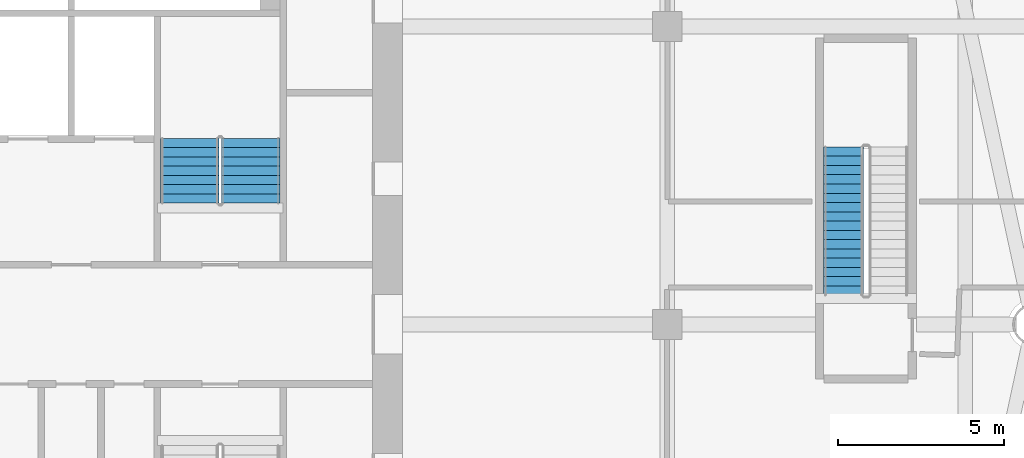
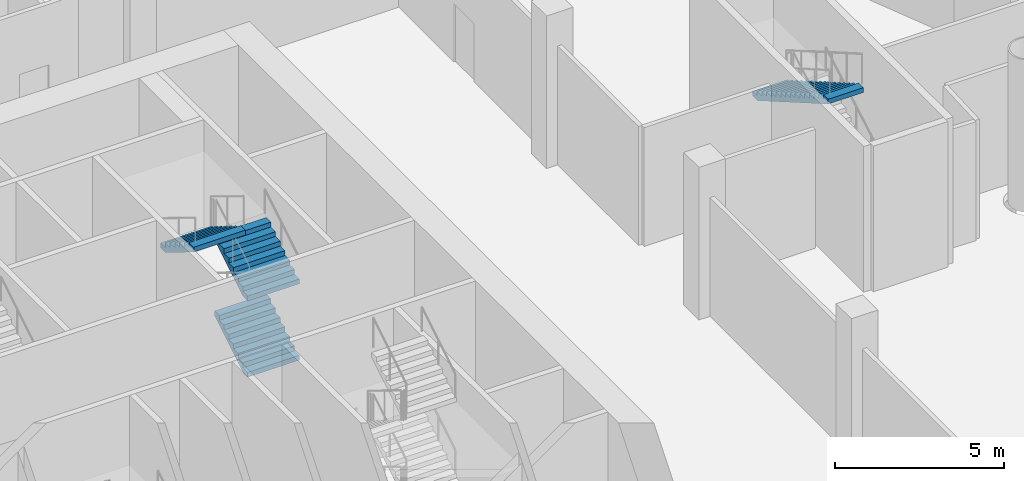
# One storey, part 16 of 23: 4 stair flights, 2 elements without a shape of their own.
"""IFC4 building model written with IfcOpenShell, lengths in metres."""

from ifc_helpers import new_model, si_unit, direction, frame, origin, place, context, subcontext, project, spatial, faceted_brep, material, type_object, element, aggregate, save


model = new_model("IFC4")

# Units and contexts
model_context = context("Model", 3, precision=1e-05, world=origin(), true_north=direction((0.0, 1.0)))
body_context = subcontext(model_context, "Body", "Model", "MODEL_VIEW")
ifc_project = project(units=[si_unit("LENGTHUNIT", "METRE"), si_unit("AREAUNIT", "SQUARE_METRE"), si_unit("VOLUMEUNIT", "CUBIC_METRE"), si_unit("PLANEANGLEUNIT", "RADIAN"), si_unit("MASSUNIT", "GRAM", prefix="KILO")], contexts=[model_context])

# Site, building, storey
site_placement = place(None, origin())
site = spatial("IfcSite", under=ifc_project, at=site_placement, CompositionType="ELEMENT")
building_placement = place(site_placement, origin())
building = spatial("IfcBuilding", under=site, at=building_placement, Name="Tarsis Ring Headquarters", CompositionType="ELEMENT")
storey_placement = place(building_placement, frame((0.0, 0.0, 14.0)))
storey = spatial("IfcBuildingStorey", under=building, at=storey_placement, Name="L02", CompositionType="ELEMENT", Elevation=14.0)

# Stair, stair flights
ifc_material_1 = material(Name="Core stair 1760")
stair_type_1 = type_object("IfcStairType", Name="Core stair 1760", PredefinedType="HALF_TURN_STAIR", material=ifc_material_1)
stair_1_placement = place(storey_placement, origin())
stair_1 = element("IfcStair", 1, at=stair_1_placement, inside=storey, type_object=stair_type_1, Name="L02 Exit stair B", PredefinedType="HALF_TURN_STAIR")
ifc_material_2 = material(Name="Concrete C40/50", Category="concrete")
stair_flight_type_1 = type_object("IfcStairFlightType", Name="Core stair flight 1760", PredefinedType="STRAIGHT", material=ifc_material_2)
stair_flight_1_placement = place(storey_placement, frame((5.419921875, 3.659912109375, 0.0), z_axis=(0.0, 0.0, 1.0), x_axis=(0.0, 1.0, 0.0)))
stair_flight_1 = element("IfcStairFlight", 2, at=stair_flight_1_placement, type_object=stair_flight_type_1, Name="Stair ST2 flight 1", NumberOfRisers=8, NumberOfTreads=7, PredefinedType="STRAIGHT", RiserHeight=0.171875, TreadLength=0.28, context=body_context, shape_type="Brep", body=[
    faceted_brep([(0.0, 0.8798828125, 0.0), (0.0, 0.8798828125, 0.171875), (0.280029296875, 0.8798828125, 0.171875), (0.280029296875, 0.8798828125, 0.34375), (0.56005859375, 0.8798828125, 0.34375), (0.56005859375, 0.8798828125, 0.515625), (0.840087890625, 0.8798828125, 0.515625), (0.840087890625, 0.8798828125, 0.6875), (1.1201171875, 0.8798828125, 0.6875), (1.1201171875, 0.8798828125, 0.859375), (1.39990234375, 0.8798828125, 0.859375), (1.39990234375, 0.8798828125, 1.03125), (1.679931640625, 0.8798828125, 1.03125), (1.679931640625, 0.8798828125, 1.203125), (1.9599609375, 0.8798828125, 1.203125), (1.9599609375, 0.8798828125, 1.02734375), (0.28662109375, 0.8798828125, 0.0), (0.28662109375, -0.8798828125, 0.0), (1.9599609375, -0.8798828125, 1.02734375), (1.9599609375, -0.8798828125, 1.203125), (1.679931640625, -0.8798828125, 1.203125), (1.679931640625, -0.8798828125, 1.03125), (1.39990234375, -0.8798828125, 1.03125), (1.39990234375, -0.8798828125, 0.859375), (1.1201171875, -0.8798828125, 0.859375), (1.1201171875, -0.8798828125, 0.6875), (0.840087890625, -0.8798828125, 0.6875), (0.840087890625, -0.8798828125, 0.515625), (0.56005859375, -0.8798828125, 0.515625), (0.56005859375, -0.8798828125, 0.34375), (0.280029296875, -0.8798828125, 0.34375), (0.280029296875, -0.8798828125, 0.171875), (0.0, -0.8798828125, 0.171875), (0.0, -0.8798828125, 0.0), (0.0, -0.43994140625, 0.171875), (0.0, -0.43994140625, 0.0), (0.0, 0.0, 0.171875), (0.0, 0.0, 0.0), (0.0, 0.43994140625, 0.171875), (0.0, 0.43994140625, 0.0), (0.280029296875, -0.43994140625, 0.171875), (0.280029296875, 0.0, 0.171875), (0.280029296875, 0.43994140625, 0.171875), (0.280029296875, -0.43994140625, 0.34375), (0.280029296875, 0.0, 0.34375), (0.280029296875, 0.43994140625, 0.34375), (0.56005859375, -0.43994140625, 0.34375), (0.56005859375, 0.0, 0.34375), (0.56005859375, 0.43994140625, 0.34375), (0.56005859375, -0.43994140625, 0.515625), (0.56005859375, 0.0, 0.515625), (0.56005859375, 0.43994140625, 0.515625), (0.840087890625, -0.43994140625, 0.515625), (0.840087890625, 0.0, 0.515625), (0.840087890625, 0.43994140625, 0.515625), (0.840087890625, -0.43994140625, 0.6875), (0.840087890625, 0.0, 0.6875), (0.840087890625, 0.43994140625, 0.6875), (1.1201171875, -0.43994140625, 0.6875), (1.1201171875, 0.0, 0.6875), (1.1201171875, 0.43994140625, 0.6875), (1.1201171875, -0.43994140625, 0.859375), (1.1201171875, 0.0, 0.859375), (1.1201171875, 0.43994140625, 0.859375), (1.39990234375, -0.43994140625, 0.859375), (1.39990234375, 0.0, 0.859375), (1.39990234375, 0.43994140625, 0.859375), (1.39990234375, -0.43994140625, 1.03125), (1.39990234375, 0.0, 1.03125), (1.39990234375, 0.43994140625, 1.03125), (1.679931640625, -0.43994140625, 1.03125), (1.679931640625, 0.0, 1.03125), (1.679931640625, 0.43994140625, 1.03125), (1.679931640625, -0.43994140625, 1.203125), (1.679931640625, 0.0, 1.203125), (1.679931640625, 0.43994140625, 1.203125), (1.9599609375, -0.43994140625, 1.203125), (1.9599609375, 0.0, 1.203125), (1.9599609375, 0.43994140625, 1.203125), (1.9599609375, -0.43994140625, 1.02734375), (1.9599609375, 0.0, 1.02734375), (1.9599609375, 0.43994140625, 1.02734375), (0.28662109375, -0.43994140625, 0.0), (0.28662109375, 0.0, 0.0), (0.28662109375, 0.43994140625, 0.0)], [[[0, 1, 2, 3, 4, 5, 6, 7, 8, 9, 10, 11, 12, 13, 14, 15, 16]], [[17, 18, 19, 20, 21, 22, 23, 24, 25, 26, 27, 28, 29, 30, 31, 32, 33]], [[33, 32, 34, 35]], [[35, 34, 36, 37]], [[37, 36, 38, 39]], [[39, 38, 1, 0]], [[32, 31, 40, 34]], [[34, 40, 41, 36]], [[36, 41, 42, 38]], [[38, 42, 2, 1]], [[31, 30, 43, 40]], [[40, 43, 44, 41]], [[41, 44, 45, 42]], [[42, 45, 3, 2]], [[30, 29, 46, 43]], [[43, 46, 47, 44]], [[44, 47, 48, 45]], [[45, 48, 4, 3]], [[29, 28, 49, 46]], [[46, 49, 50, 47]], [[47, 50, 51, 48]], [[48, 51, 5, 4]], [[28, 27, 52, 49]], [[49, 52, 53, 50]], [[50, 53, 54, 51]], [[51, 54, 6, 5]], [[27, 26, 55, 52]], [[52, 55, 56, 53]], [[53, 56, 57, 54]], [[54, 57, 7, 6]], [[26, 25, 58, 55]], [[55, 58, 59, 56]], [[56, 59, 60, 57]], [[57, 60, 8, 7]], [[25, 24, 61, 58]], [[58, 61, 62, 59]], [[59, 62, 63, 60]], [[60, 63, 9, 8]], [[24, 23, 64, 61]], [[61, 64, 65, 62]], [[62, 65, 66, 63]], [[63, 66, 10, 9]], [[23, 22, 67, 64]], [[64, 67, 68, 65]], [[65, 68, 69, 66]], [[66, 69, 11, 10]], [[22, 21, 70, 67]], [[67, 70, 71, 68]], [[68, 71, 72, 69]], [[69, 72, 12, 11]], [[21, 20, 73, 70]], [[70, 73, 74, 71]], [[71, 74, 75, 72]], [[72, 75, 13, 12]], [[20, 19, 76, 73]], [[73, 76, 77, 74]], [[74, 77, 78, 75]], [[75, 78, 14, 13]], [[19, 18, 79, 76]], [[76, 79, 80, 77]], [[77, 80, 81, 78]], [[78, 81, 15, 14]], [[18, 17, 82, 79]], [[79, 82, 83, 80]], [[80, 83, 84, 81]], [[81, 84, 16, 15]], [[17, 33, 35, 82]], [[82, 35, 37, 83]], [[83, 37, 39, 84]], [[84, 39, 0, 16]]]),
])
stair_flight_2_placement = place(storey_placement, frame((5.419921875, 3.659912109375, 2.75), z_axis=(0.0, 0.0, 1.0), x_axis=(0.0, 1.0, 0.0)))
stair_flight_2 = element("IfcStairFlight", 3, at=stair_flight_2_placement, type_object=stair_flight_type_1, Name="Stair ST2 flight 3", NumberOfRisers=8, NumberOfTreads=7, PredefinedType="STRAIGHT", RiserHeight=0.171875, TreadLength=0.28, context=body_context, shape_type="Brep", body=[
    faceted_brep([(0.0, 0.8798828125, 0.0), (0.0, 0.8798828125, 0.171875), (0.280029296875, 0.8798828125, 0.171875), (0.280029296875, 0.8798828125, 0.34375), (0.56005859375, 0.8798828125, 0.34375), (0.56005859375, 0.8798828125, 0.515625), (0.840087890625, 0.8798828125, 0.515625), (0.840087890625, 0.8798828125, 0.6875), (1.1201171875, 0.8798828125, 0.6875), (1.1201171875, 0.8798828125, 0.859375), (1.39990234375, 0.8798828125, 0.859375), (1.39990234375, 0.8798828125, 1.03125), (1.679931640625, 0.8798828125, 1.03125), (1.679931640625, 0.8798828125, 1.203125), (1.9599609375, 0.8798828125, 1.203125), (1.9599609375, 0.8798828125, 1.02734375), (0.28662109375, 0.8798828125, 0.0), (0.28662109375, -0.8798828125, 0.0), (1.9599609375, -0.8798828125, 1.02734375), (1.9599609375, -0.8798828125, 1.203125), (1.679931640625, -0.8798828125, 1.203125), (1.679931640625, -0.8798828125, 1.03125), (1.39990234375, -0.8798828125, 1.03125), (1.39990234375, -0.8798828125, 0.859375), (1.1201171875, -0.8798828125, 0.859375), (1.1201171875, -0.8798828125, 0.6875), (0.840087890625, -0.8798828125, 0.6875), (0.840087890625, -0.8798828125, 0.515625), (0.56005859375, -0.8798828125, 0.515625), (0.56005859375, -0.8798828125, 0.34375), (0.280029296875, -0.8798828125, 0.34375), (0.280029296875, -0.8798828125, 0.171875), (0.0, -0.8798828125, 0.171875), (0.0, -0.8798828125, 0.0), (0.0, -0.43994140625, 0.171875), (0.0, -0.43994140625, 0.0), (0.0, 0.0, 0.171875), (0.0, 0.0, 0.0), (0.0, 0.43994140625, 0.171875), (0.0, 0.43994140625, 0.0), (0.280029296875, -0.43994140625, 0.171875), (0.280029296875, 0.0, 0.171875), (0.280029296875, 0.43994140625, 0.171875), (0.280029296875, -0.43994140625, 0.34375), (0.280029296875, 0.0, 0.34375), (0.280029296875, 0.43994140625, 0.34375), (0.56005859375, -0.43994140625, 0.34375), (0.56005859375, 0.0, 0.34375), (0.56005859375, 0.43994140625, 0.34375), (0.56005859375, -0.43994140625, 0.515625), (0.56005859375, 0.0, 0.515625), (0.56005859375, 0.43994140625, 0.515625), (0.840087890625, -0.43994140625, 0.515625), (0.840087890625, 0.0, 0.515625), (0.840087890625, 0.43994140625, 0.515625), (0.840087890625, -0.43994140625, 0.6875), (0.840087890625, 0.0, 0.6875), (0.840087890625, 0.43994140625, 0.6875), (1.1201171875, -0.43994140625, 0.6875), (1.1201171875, 0.0, 0.6875), (1.1201171875, 0.43994140625, 0.6875), (1.1201171875, -0.43994140625, 0.859375), (1.1201171875, 0.0, 0.859375), (1.1201171875, 0.43994140625, 0.859375), (1.39990234375, -0.43994140625, 0.859375), (1.39990234375, 0.0, 0.859375), (1.39990234375, 0.43994140625, 0.859375), (1.39990234375, -0.43994140625, 1.03125), (1.39990234375, 0.0, 1.03125), (1.39990234375, 0.43994140625, 1.03125), (1.679931640625, -0.43994140625, 1.03125), (1.679931640625, 0.0, 1.03125), (1.679931640625, 0.43994140625, 1.03125), (1.679931640625, -0.43994140625, 1.203125), (1.679931640625, 0.0, 1.203125), (1.679931640625, 0.43994140625, 1.203125), (1.9599609375, -0.43994140625, 1.203125), (1.9599609375, 0.0, 1.203125), (1.9599609375, 0.43994140625, 1.203125), (1.9599609375, -0.43994140625, 1.02734375), (1.9599609375, 0.0, 1.02734375), (1.9599609375, 0.43994140625, 1.02734375), (0.28662109375, -0.43994140625, 0.0), (0.28662109375, 0.0, 0.0), (0.28662109375, 0.43994140625, 0.0)], [[[0, 1, 2, 3, 4, 5, 6, 7, 8, 9, 10, 11, 12, 13, 14, 15, 16]], [[17, 18, 19, 20, 21, 22, 23, 24, 25, 26, 27, 28, 29, 30, 31, 32, 33]], [[33, 32, 34, 35]], [[35, 34, 36, 37]], [[37, 36, 38, 39]], [[39, 38, 1, 0]], [[32, 31, 40, 34]], [[34, 40, 41, 36]], [[36, 41, 42, 38]], [[38, 42, 2, 1]], [[31, 30, 43, 40]], [[40, 43, 44, 41]], [[41, 44, 45, 42]], [[42, 45, 3, 2]], [[30, 29, 46, 43]], [[43, 46, 47, 44]], [[44, 47, 48, 45]], [[45, 48, 4, 3]], [[29, 28, 49, 46]], [[46, 49, 50, 47]], [[47, 50, 51, 48]], [[48, 51, 5, 4]], [[28, 27, 52, 49]], [[49, 52, 53, 50]], [[50, 53, 54, 51]], [[51, 54, 6, 5]], [[27, 26, 55, 52]], [[52, 55, 56, 53]], [[53, 56, 57, 54]], [[54, 57, 7, 6]], [[26, 25, 58, 55]], [[55, 58, 59, 56]], [[56, 59, 60, 57]], [[57, 60, 8, 7]], [[25, 24, 61, 58]], [[58, 61, 62, 59]], [[59, 62, 63, 60]], [[60, 63, 9, 8]], [[24, 23, 64, 61]], [[61, 64, 65, 62]], [[62, 65, 66, 63]], [[63, 66, 10, 9]], [[23, 22, 67, 64]], [[64, 67, 68, 65]], [[65, 68, 69, 66]], [[66, 69, 11, 10]], [[22, 21, 70, 67]], [[67, 70, 71, 68]], [[68, 71, 72, 69]], [[69, 72, 12, 11]], [[21, 20, 73, 70]], [[70, 73, 74, 71]], [[71, 74, 75, 72]], [[72, 75, 13, 12]], [[20, 19, 76, 73]], [[73, 76, 77, 74]], [[74, 77, 78, 75]], [[75, 78, 14, 13]], [[19, 18, 79, 76]], [[76, 79, 80, 77]], [[77, 80, 81, 78]], [[78, 81, 15, 14]], [[18, 17, 82, 79]], [[79, 82, 83, 80]], [[80, 83, 84, 81]], [[81, 84, 16, 15]], [[17, 33, 35, 82]], [[82, 35, 37, 83]], [[83, 37, 39, 84]], [[84, 39, 0, 16]]]),
])
stair_flight_3_placement = place(storey_placement, frame((3.580078125, 5.6201171875, 4.125), z_axis=(0.0, 0.0, 1.0), x_axis=(0.0, -1.0, 0.0)))
stair_flight_3 = element("IfcStairFlight", 4, at=stair_flight_3_placement, type_object=stair_flight_type_1, Name="Stair ST2 flight 4", NumberOfRisers=8, NumberOfTreads=7, PredefinedType="STRAIGHT", RiserHeight=0.171875, TreadLength=0.28, context=body_context, shape_type="Brep", body=[
    faceted_brep([(0.0, 0.8798828125, 0.0), (0.0, 0.8798828125, 0.171875), (0.280029296875, 0.8798828125, 0.171875), (0.280029296875, 0.8798828125, 0.34375), (0.56005859375, 0.8798828125, 0.34375), (0.56005859375, 0.8798828125, 0.515625), (0.840087890625, 0.8798828125, 0.515625), (0.840087890625, 0.8798828125, 0.6875), (1.1201171875, 0.8798828125, 0.6875), (1.1201171875, 0.8798828125, 0.859375), (1.39990234375, 0.8798828125, 0.859375), (1.39990234375, 0.8798828125, 1.03125), (1.679931640625, 0.8798828125, 1.03125), (1.679931640625, 0.8798828125, 1.203125), (1.9599609375, 0.8798828125, 1.203125), (1.9599609375, 0.8798828125, 1.02734375), (0.28662109375, 0.8798828125, 0.0), (0.28662109375, -0.8798828125, 0.0), (1.9599609375, -0.8798828125, 1.02734375), (1.9599609375, -0.8798828125, 1.203125), (1.679931640625, -0.8798828125, 1.203125), (1.679931640625, -0.8798828125, 1.03125), (1.39990234375, -0.8798828125, 1.03125), (1.39990234375, -0.8798828125, 0.859375), (1.1201171875, -0.8798828125, 0.859375), (1.1201171875, -0.8798828125, 0.6875), (0.840087890625, -0.8798828125, 0.6875), (0.840087890625, -0.8798828125, 0.515625), (0.56005859375, -0.8798828125, 0.515625), (0.56005859375, -0.8798828125, 0.34375), (0.280029296875, -0.8798828125, 0.34375), (0.280029296875, -0.8798828125, 0.171875), (0.0, -0.8798828125, 0.171875), (0.0, -0.8798828125, 0.0), (0.0, -0.43994140625, 0.171875), (0.0, -0.43994140625, 0.0), (0.0, 0.0, 0.171875), (0.0, 0.0, 0.0), (0.0, 0.43994140625, 0.171875), (0.0, 0.43994140625, 0.0), (0.280029296875, -0.43994140625, 0.171875), (0.280029296875, 0.0, 0.171875), (0.280029296875, 0.43994140625, 0.171875), (0.280029296875, -0.43994140625, 0.34375), (0.280029296875, 0.0, 0.34375), (0.280029296875, 0.43994140625, 0.34375), (0.56005859375, -0.43994140625, 0.34375), (0.56005859375, 0.0, 0.34375), (0.56005859375, 0.43994140625, 0.34375), (0.56005859375, -0.43994140625, 0.515625), (0.56005859375, 0.0, 0.515625), (0.56005859375, 0.43994140625, 0.515625), (0.840087890625, -0.43994140625, 0.515625), (0.840087890625, 0.0, 0.515625), (0.840087890625, 0.43994140625, 0.515625), (0.840087890625, -0.43994140625, 0.6875), (0.840087890625, 0.0, 0.6875), (0.840087890625, 0.43994140625, 0.6875), (1.1201171875, -0.43994140625, 0.6875), (1.1201171875, 0.0, 0.6875), (1.1201171875, 0.43994140625, 0.6875), (1.1201171875, -0.43994140625, 0.859375), (1.1201171875, 0.0, 0.859375), (1.1201171875, 0.43994140625, 0.859375), (1.39990234375, -0.43994140625, 0.859375), (1.39990234375, 0.0, 0.859375), (1.39990234375, 0.43994140625, 0.859375), (1.39990234375, -0.43994140625, 1.03125), (1.39990234375, 0.0, 1.03125), (1.39990234375, 0.43994140625, 1.03125), (1.679931640625, -0.43994140625, 1.03125), (1.679931640625, 0.0, 1.03125), (1.679931640625, 0.43994140625, 1.03125), (1.679931640625, -0.43994140625, 1.203125), (1.679931640625, 0.0, 1.203125), (1.679931640625, 0.43994140625, 1.203125), (1.9599609375, -0.43994140625, 1.203125), (1.9599609375, 0.0, 1.203125), (1.9599609375, 0.43994140625, 1.203125), (1.9599609375, -0.43994140625, 1.02734375), (1.9599609375, 0.0, 1.02734375), (1.9599609375, 0.43994140625, 1.02734375), (0.28662109375, -0.43994140625, 0.0), (0.28662109375, 0.0, 0.0), (0.28662109375, 0.43994140625, 0.0)], [[[0, 1, 2, 3, 4, 5, 6, 7, 8, 9, 10, 11, 12, 13, 14, 15, 16]], [[17, 18, 19, 20, 21, 22, 23, 24, 25, 26, 27, 28, 29, 30, 31, 32, 33]], [[33, 32, 34, 35]], [[35, 34, 36, 37]], [[37, 36, 38, 39]], [[39, 38, 1, 0]], [[32, 31, 40, 34]], [[34, 40, 41, 36]], [[36, 41, 42, 38]], [[38, 42, 2, 1]], [[31, 30, 43, 40]], [[40, 43, 44, 41]], [[41, 44, 45, 42]], [[42, 45, 3, 2]], [[30, 29, 46, 43]], [[43, 46, 47, 44]], [[44, 47, 48, 45]], [[45, 48, 4, 3]], [[29, 28, 49, 46]], [[46, 49, 50, 47]], [[47, 50, 51, 48]], [[48, 51, 5, 4]], [[28, 27, 52, 49]], [[49, 52, 53, 50]], [[50, 53, 54, 51]], [[51, 54, 6, 5]], [[27, 26, 55, 52]], [[52, 55, 56, 53]], [[53, 56, 57, 54]], [[54, 57, 7, 6]], [[26, 25, 58, 55]], [[55, 58, 59, 56]], [[56, 59, 60, 57]], [[57, 60, 8, 7]], [[25, 24, 61, 58]], [[58, 61, 62, 59]], [[59, 62, 63, 60]], [[60, 63, 9, 8]], [[24, 23, 64, 61]], [[61, 64, 65, 62]], [[62, 65, 66, 63]], [[63, 66, 10, 9]], [[23, 22, 67, 64]], [[64, 67, 68, 65]], [[65, 68, 69, 66]], [[66, 69, 11, 10]], [[22, 21, 70, 67]], [[67, 70, 71, 68]], [[68, 71, 72, 69]], [[69, 72, 12, 11]], [[21, 20, 73, 70]], [[70, 73, 74, 71]], [[71, 74, 75, 72]], [[72, 75, 13, 12]], [[20, 19, 76, 73]], [[73, 76, 77, 74]], [[74, 77, 78, 75]], [[75, 78, 14, 13]], [[19, 18, 79, 76]], [[76, 79, 80, 77]], [[77, 80, 81, 78]], [[78, 81, 15, 14]], [[18, 17, 82, 79]], [[79, 82, 83, 80]], [[80, 83, 84, 81]], [[81, 84, 16, 15]], [[17, 33, 35, 82]], [[82, 35, 37, 83]], [[83, 37, 39, 84]], [[84, 39, 0, 16]]]),
])
aggregate(stair_1, [stair_flight_1, stair_flight_2, stair_flight_3])

# Stair, stair flight
stair_type_2 = type_object("IfcStairType", Name="PO-ST", PredefinedType="HALF_TURN_STAIR", material=ifc_material_2)
stair_2_placement = place(storey_placement, origin())
stair_2 = element("IfcStair", 5, at=stair_2_placement, inside=storey, type_object=stair_type_2, Name="L02 Podium stair", PredefinedType="HALF_TURN_STAIR")
stair_flight_type_2 = type_object("IfcStairFlightType", Name="PO-STF", PredefinedType="STRAIGHT", material=ifc_material_2)
stair_flight_4_placement = place(storey_placement, frame((23.324951171875, 5.360107421875, 2.75), z_axis=(0.0, 0.0, 1.0), x_axis=(0.0, -1.0, 0.0)))
stair_flight_4 = element("IfcStairFlight", 6, at=stair_flight_4_placement, type_object=stair_flight_type_2, Name="Stair PS1 flight 2", NumberOfRisers=17, NumberOfTreads=16, PredefinedType="STRAIGHT", RiserHeight=0.161764706, TreadLength=0.28, context=body_context, shape_type="Brep", body=[
    faceted_brep([(0.0, 0.60009765625, 0.0), (0.0, 0.60009765625, 0.161865234375), (0.280029296875, 0.60009765625, 0.161865234375), (0.280029296875, 0.60009765625, 0.323486328125), (0.56005859375, 0.60009765625, 0.323486328125), (0.56005859375, 0.60009765625, 0.4853515625), (0.840087890625, 0.60009765625, 0.4853515625), (0.840087890625, 0.60009765625, 0.64697265625), (1.1201171875, 0.60009765625, 0.64697265625), (1.1201171875, 0.60009765625, 0.808837890625), (1.39990234375, 0.60009765625, 0.808837890625), (1.39990234375, 0.60009765625, 0.970703125), (1.679931640625, 0.60009765625, 0.970703125), (1.679931640625, 0.60009765625, 1.13232421875), (1.9599609375, 0.60009765625, 1.13232421875), (1.9599609375, 0.60009765625, 1.294189453125), (2.239990234375, 0.60009765625, 1.294189453125), (2.239990234375, 0.60009765625, 1.455810546875), (2.52001953125, 0.60009765625, 1.455810546875), (2.52001953125, 0.60009765625, 1.61767578125), (2.800048828125, 0.60009765625, 1.61767578125), (2.800048828125, 0.60009765625, 1.779296875), (3.080078125, 0.60009765625, 1.779296875), (3.080078125, 0.60009765625, 1.941162109375), (3.360107421875, 0.60009765625, 1.941162109375), (3.360107421875, 0.60009765625, 2.10302734375), (3.639892578125, 0.60009765625, 2.10302734375), (3.639892578125, 0.60009765625, 2.2646484375), (3.919921875, 0.60009765625, 2.2646484375), (3.919921875, 0.60009765625, 2.426513671875), (4.199951171875, 0.60009765625, 2.426513671875), (4.199951171875, 0.60009765625, 2.588134765625), (4.47998046875, 0.60009765625, 2.588134765625), (4.47998046875, 0.60009765625, 2.4150390625), (0.299560546875, 0.60009765625, 0.0), (0.299560546875, -0.60009765625, 0.0), (4.47998046875, -0.60009765625, 2.4150390625), (4.47998046875, -0.60009765625, 2.588134765625), (4.199951171875, -0.60009765625, 2.588134765625), (4.199951171875, -0.60009765625, 2.426513671875), (3.919921875, -0.60009765625, 2.426513671875), (3.919921875, -0.60009765625, 2.2646484375), (3.639892578125, -0.60009765625, 2.2646484375), (3.639892578125, -0.60009765625, 2.10302734375), (3.360107421875, -0.60009765625, 2.10302734375), (3.360107421875, -0.60009765625, 1.941162109375), (3.080078125, -0.60009765625, 1.941162109375), (3.080078125, -0.60009765625, 1.779296875), (2.800048828125, -0.60009765625, 1.779296875), (2.800048828125, -0.60009765625, 1.61767578125), (2.52001953125, -0.60009765625, 1.61767578125), (2.52001953125, -0.60009765625, 1.455810546875), (2.239990234375, -0.60009765625, 1.455810546875), (2.239990234375, -0.60009765625, 1.294189453125), (1.9599609375, -0.60009765625, 1.294189453125), (1.9599609375, -0.60009765625, 1.13232421875), (1.679931640625, -0.60009765625, 1.13232421875), (1.679931640625, -0.60009765625, 0.970703125), (1.39990234375, -0.60009765625, 0.970703125), (1.39990234375, -0.60009765625, 0.808837890625), (1.1201171875, -0.60009765625, 0.808837890625), (1.1201171875, -0.60009765625, 0.64697265625), (0.840087890625, -0.60009765625, 0.64697265625), (0.840087890625, -0.60009765625, 0.4853515625), (0.56005859375, -0.60009765625, 0.4853515625), (0.56005859375, -0.60009765625, 0.323486328125), (0.280029296875, -0.60009765625, 0.323486328125), (0.280029296875, -0.60009765625, 0.161865234375), (0.0, -0.60009765625, 0.161865234375), (0.0, -0.60009765625, 0.0), (0.0, -0.300048828125, 0.161865234375), (0.0, -0.300048828125, 0.0), (0.0, 0.0, 0.161865234375), (0.0, 0.0, 0.0), (0.0, 0.300048828125, 0.161865234375), (0.0, 0.300048828125, 0.0), (0.280029296875, -0.300048828125, 0.161865234375), (0.280029296875, 0.0, 0.161865234375), (0.280029296875, 0.300048828125, 0.161865234375), (0.280029296875, -0.300048828125, 0.323486328125), (0.280029296875, 0.0, 0.323486328125), (0.280029296875, 0.300048828125, 0.323486328125), (0.56005859375, -0.300048828125, 0.323486328125), (0.56005859375, 0.0, 0.323486328125), (0.56005859375, 0.300048828125, 0.323486328125), (0.56005859375, -0.300048828125, 0.4853515625), (0.56005859375, 0.0, 0.4853515625), (0.56005859375, 0.300048828125, 0.4853515625), (0.840087890625, -0.300048828125, 0.4853515625), (0.840087890625, 0.0, 0.4853515625), (0.840087890625, 0.300048828125, 0.4853515625), (0.840087890625, -0.300048828125, 0.64697265625), (0.840087890625, 0.0, 0.64697265625), (0.840087890625, 0.300048828125, 0.64697265625), (1.1201171875, -0.300048828125, 0.64697265625), (1.1201171875, 0.0, 0.64697265625), (1.1201171875, 0.300048828125, 0.64697265625), (1.1201171875, -0.300048828125, 0.808837890625), (1.1201171875, 0.0, 0.808837890625), (1.1201171875, 0.300048828125, 0.808837890625), (1.39990234375, -0.300048828125, 0.808837890625), (1.39990234375, 0.0, 0.808837890625), (1.39990234375, 0.300048828125, 0.808837890625), (1.39990234375, -0.300048828125, 0.970703125), (1.39990234375, 0.0, 0.970703125), (1.39990234375, 0.300048828125, 0.970703125), (1.679931640625, -0.300048828125, 0.970703125), (1.679931640625, 0.0, 0.970703125), (1.679931640625, 0.300048828125, 0.970703125), (1.679931640625, -0.300048828125, 1.13232421875), (1.679931640625, 0.0, 1.13232421875), (1.679931640625, 0.300048828125, 1.13232421875), (1.9599609375, -0.300048828125, 1.13232421875), (1.9599609375, 0.0, 1.13232421875), (1.9599609375, 0.300048828125, 1.13232421875), (1.9599609375, -0.300048828125, 1.294189453125), (1.9599609375, 0.0, 1.294189453125), (1.9599609375, 0.300048828125, 1.294189453125), (2.239990234375, -0.300048828125, 1.294189453125), (2.239990234375, 0.0, 1.294189453125), (2.239990234375, 0.300048828125, 1.294189453125), (2.239990234375, -0.300048828125, 1.455810546875), (2.239990234375, 0.0, 1.455810546875), (2.239990234375, 0.300048828125, 1.455810546875), (2.52001953125, -0.300048828125, 1.455810546875), (2.52001953125, 0.0, 1.455810546875), (2.52001953125, 0.300048828125, 1.455810546875), (2.52001953125, -0.300048828125, 1.61767578125), (2.52001953125, 0.0, 1.61767578125), (2.52001953125, 0.300048828125, 1.61767578125), (2.800048828125, -0.300048828125, 1.61767578125), (2.800048828125, 0.0, 1.61767578125), (2.800048828125, 0.300048828125, 1.61767578125), (2.800048828125, -0.300048828125, 1.779296875), (2.800048828125, 0.0, 1.779296875), (2.800048828125, 0.300048828125, 1.779296875), (3.080078125, -0.300048828125, 1.779296875), (3.080078125, 0.0, 1.779296875), (3.080078125, 0.300048828125, 1.779296875), (3.080078125, -0.300048828125, 1.941162109375), (3.080078125, 0.0, 1.941162109375), (3.080078125, 0.300048828125, 1.941162109375), (3.360107421875, -0.300048828125, 1.941162109375), (3.360107421875, 0.0, 1.941162109375), (3.360107421875, 0.300048828125, 1.941162109375), (3.360107421875, -0.300048828125, 2.10302734375), (3.360107421875, 0.0, 2.10302734375), (3.360107421875, 0.300048828125, 2.10302734375), (3.639892578125, -0.300048828125, 2.10302734375), (3.639892578125, 0.0, 2.10302734375), (3.639892578125, 0.300048828125, 2.10302734375), (3.639892578125, -0.300048828125, 2.2646484375), (3.639892578125, 0.0, 2.2646484375), (3.639892578125, 0.300048828125, 2.2646484375), (3.919921875, -0.300048828125, 2.2646484375), (3.919921875, 0.0, 2.2646484375), (3.919921875, 0.300048828125, 2.2646484375), (3.919921875, -0.300048828125, 2.426513671875), (3.919921875, 0.0, 2.426513671875), (3.919921875, 0.300048828125, 2.426513671875), (4.199951171875, -0.300048828125, 2.426513671875), (4.199951171875, 0.0, 2.426513671875), (4.199951171875, 0.300048828125, 2.426513671875), (4.199951171875, -0.300048828125, 2.588134765625), (4.199951171875, 0.0, 2.588134765625), (4.199951171875, 0.300048828125, 2.588134765625), (4.47998046875, -0.300048828125, 2.588134765625), (4.47998046875, 0.0, 2.588134765625), (4.47998046875, 0.300048828125, 2.588134765625), (4.47998046875, -0.300048828125, 2.4150390625), (4.47998046875, 0.0, 2.4150390625), (4.47998046875, 0.300048828125, 2.4150390625), (0.299560546875, -0.300048828125, 0.0), (0.299560546875, 0.0, 0.0), (0.299560546875, 0.300048828125, 0.0)], [[[0, 1, 2, 3, 4, 5, 6, 7, 8, 9, 10, 11, 12, 13, 14, 15, 16, 17, 18, 19, 20, 21, 22, 23, 24, 25, 26, 27, 28, 29, 30, 31, 32, 33, 34]], [[35, 36, 37, 38, 39, 40, 41, 42, 43, 44, 45, 46, 47, 48, 49, 50, 51, 52, 53, 54, 55, 56, 57, 58, 59, 60, 61, 62, 63, 64, 65, 66, 67, 68, 69]], [[69, 68, 70, 71]], [[71, 70, 72, 73]], [[73, 72, 74, 75]], [[75, 74, 1, 0]], [[68, 67, 76, 70]], [[70, 76, 77, 72]], [[72, 77, 78, 74]], [[74, 78, 2, 1]], [[67, 66, 79, 76]], [[76, 79, 80, 77]], [[77, 80, 81, 78]], [[78, 81, 3, 2]], [[66, 65, 82, 79]], [[79, 82, 83, 80]], [[80, 83, 84, 81]], [[81, 84, 4, 3]], [[65, 64, 85, 82]], [[82, 85, 86, 83]], [[83, 86, 87, 84]], [[84, 87, 5, 4]], [[64, 63, 88, 85]], [[85, 88, 89, 86]], [[86, 89, 90, 87]], [[87, 90, 6, 5]], [[63, 62, 91, 88]], [[88, 91, 92, 89]], [[89, 92, 93, 90]], [[90, 93, 7, 6]], [[62, 61, 94, 91]], [[91, 94, 95, 92]], [[92, 95, 96, 93]], [[93, 96, 8, 7]], [[61, 60, 97, 94]], [[94, 97, 98, 95]], [[95, 98, 99, 96]], [[96, 99, 9, 8]], [[60, 59, 100, 97]], [[97, 100, 101, 98]], [[98, 101, 102, 99]], [[99, 102, 10, 9]], [[59, 58, 103, 100]], [[100, 103, 104, 101]], [[101, 104, 105, 102]], [[102, 105, 11, 10]], [[58, 57, 106, 103]], [[103, 106, 107, 104]], [[104, 107, 108, 105]], [[105, 108, 12, 11]], [[57, 56, 109, 106]], [[106, 109, 110, 107]], [[107, 110, 111, 108]], [[108, 111, 13, 12]], [[56, 55, 112, 109]], [[109, 112, 113, 110]], [[110, 113, 114, 111]], [[111, 114, 14, 13]], [[55, 54, 115, 112]], [[112, 115, 116, 113]], [[113, 116, 117, 114]], [[114, 117, 15, 14]], [[54, 53, 118, 115]], [[115, 118, 119, 116]], [[116, 119, 120, 117]], [[117, 120, 16, 15]], [[53, 52, 121, 118]], [[118, 121, 122, 119]], [[119, 122, 123, 120]], [[120, 123, 17, 16]], [[52, 51, 124, 121]], [[121, 124, 125, 122]], [[122, 125, 126, 123]], [[123, 126, 18, 17]], [[51, 50, 127, 124]], [[124, 127, 128, 125]], [[125, 128, 129, 126]], [[126, 129, 19, 18]], [[50, 49, 130, 127]], [[127, 130, 131, 128]], [[128, 131, 132, 129]], [[129, 132, 20, 19]], [[49, 48, 133, 130]], [[130, 133, 134, 131]], [[131, 134, 135, 132]], [[132, 135, 21, 20]], [[48, 47, 136, 133]], [[133, 136, 137, 134]], [[134, 137, 138, 135]], [[135, 138, 22, 21]], [[47, 46, 139, 136]], [[136, 139, 140, 137]], [[137, 140, 141, 138]], [[138, 141, 23, 22]], [[46, 45, 142, 139]], [[139, 142, 143, 140]], [[140, 143, 144, 141]], [[141, 144, 24, 23]], [[45, 44, 145, 142]], [[142, 145, 146, 143]], [[143, 146, 147, 144]], [[144, 147, 25, 24]], [[44, 43, 148, 145]], [[145, 148, 149, 146]], [[146, 149, 150, 147]], [[147, 150, 26, 25]], [[43, 42, 151, 148]], [[148, 151, 152, 149]], [[149, 152, 153, 150]], [[150, 153, 27, 26]], [[42, 41, 154, 151]], [[151, 154, 155, 152]], [[152, 155, 156, 153]], [[153, 156, 28, 27]], [[41, 40, 157, 154]], [[154, 157, 158, 155]], [[155, 158, 159, 156]], [[156, 159, 29, 28]], [[40, 39, 160, 157]], [[157, 160, 161, 158]], [[158, 161, 162, 159]], [[159, 162, 30, 29]], [[39, 38, 163, 160]], [[160, 163, 164, 161]], [[161, 164, 165, 162]], [[162, 165, 31, 30]], [[38, 37, 166, 163]], [[163, 166, 167, 164]], [[164, 167, 168, 165]], [[165, 168, 32, 31]], [[37, 36, 169, 166]], [[166, 169, 170, 167]], [[167, 170, 171, 168]], [[168, 171, 33, 32]], [[36, 35, 172, 169]], [[169, 172, 173, 170]], [[170, 173, 174, 171]], [[171, 174, 34, 33]], [[35, 69, 71, 172]], [[172, 71, 73, 173]], [[173, 73, 75, 174]], [[174, 75, 0, 34]]]),
])
aggregate(stair_2, [stair_flight_4])

save(model, "model.ifc")
